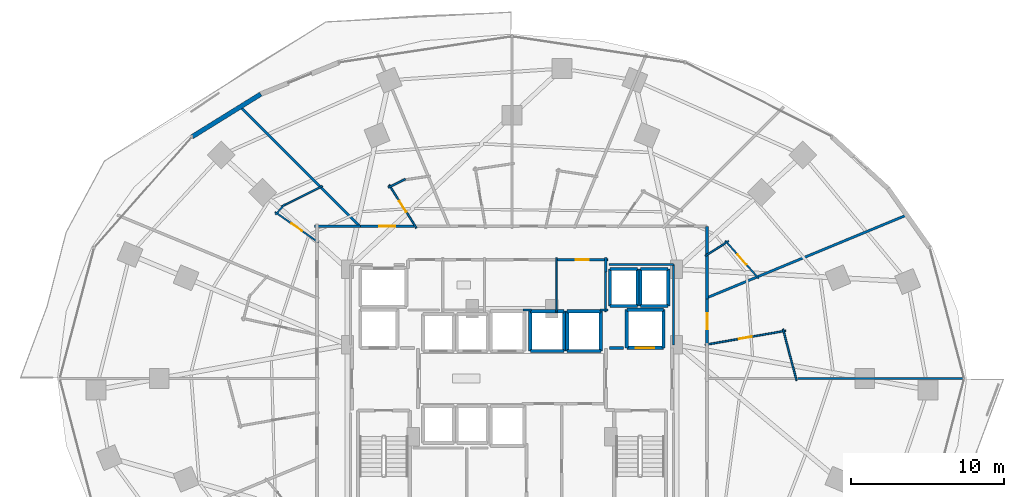
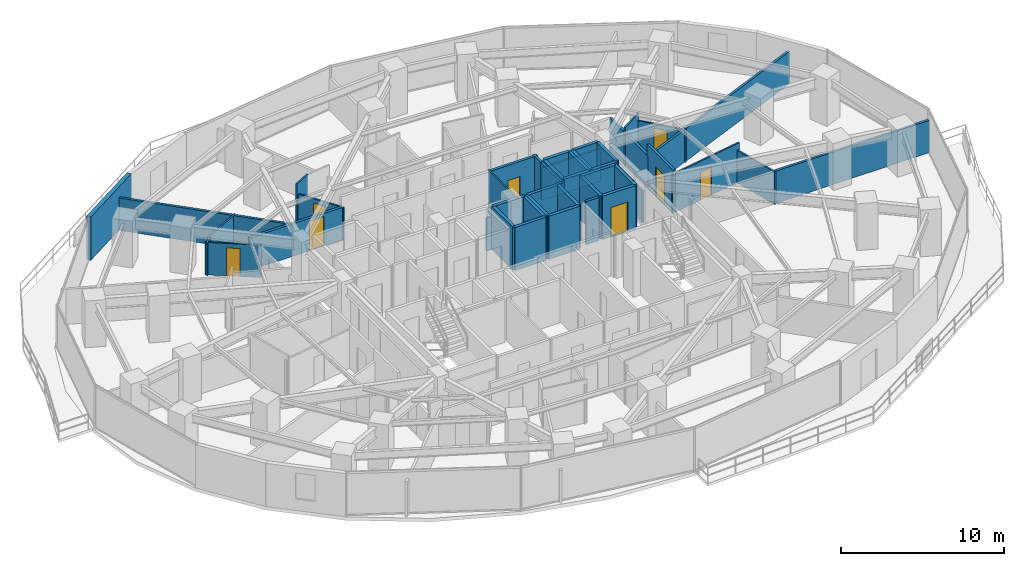
# One storey, part 29 of 34: 47 walls, 8 doors, 8 openings.
"""IFC4 building model written with IfcOpenShell, lengths in metres."""

from ifc_helpers import new_model, si_unit, direction, frame, frame_2d, origin, place, context, subcontext, project, spatial, rectangle, extrude, material, layer, layer_set, type_object, element, fill, save


model = new_model("IFC4")

# Units and contexts
model_context = context("Model", 3, precision=1e-05, world=origin(), true_north=direction((0.0, 1.0)))
body_context = subcontext(model_context, "Body", "Model", "MODEL_VIEW")
ifc_project = project(units=[si_unit("LENGTHUNIT", "METRE"), si_unit("AREAUNIT", "SQUARE_METRE"), si_unit("VOLUMEUNIT", "CUBIC_METRE"), si_unit("PLANEANGLEUNIT", "RADIAN"), si_unit("MASSUNIT", "GRAM", prefix="KILO")], contexts=[model_context])

# Site, building, storey
site_placement = place(None, origin())
site = spatial("IfcSite", under=ifc_project, at=site_placement, CompositionType="ELEMENT")
building_placement = place(site_placement, origin())
building = spatial("IfcBuilding", under=site, at=building_placement, Name="Vorneva Point Tower", CompositionType="ELEMENT")
storey_placement = place(building_placement, frame((0.0, 0.0, 31.0)))
storey = spatial("IfcBuildingStorey", under=building, at=storey_placement, Name="L07", CompositionType="ELEMENT", Elevation=31.0)

# Wall, opening, door
ifc_material_1 = material(Name="Concrete B60 (C50/60)", Category="concrete")
ifc_layer_1 = layer(ifc_material_1, 0.5)
ifc_layer_set_1 = layer_set([ifc_layer_1], Name="Concrete B60 (C50/60)")
wall_type_1 = type_object("IfcWallType", Name="WL-CORE-500", PredefinedType="SHEAR", material=ifc_layer_set_1)
wall_1_placement = place(storey_placement, frame((45.5, 28.0, 0.0), z_axis=(0.0, 0.0, 1.0), x_axis=(1.0, 0.0, 0.0)))
wall_1 = element("IfcWall", 1, at=wall_1_placement, inside=storey, type_object=wall_type_1, Name="L07 Lift FFL2 Shaft Wall -Y", PredefinedType="SHEAR", context=body_context, shape_type="SweptSolid", body=[
    extrude(rectangle(XDim=2.39990234375, YDim=0.219970703125, at=frame_2d((1.199951171875, 0.0))), origin(), (0.0, 0.0, 1.0), 3.239990234375),
])
opening_1_placement = place(wall_1_placement, frame((0.60009765625, 0.0, 0.0)))
opening_1 = element("IfcOpeningElement", 2, at=opening_1_placement, cuts=wall_1, Name="Opening LD-02", PredefinedType="OPENING", context=body_context, shape_type="SweptSolid", body=[
    extrude(rectangle(XDim=1.199951171875, YDim=2.199951171875, at=frame_2d((0.60009765625, 1.10009765625))), frame((0.0, 0.125, 0.0), z_axis=(0.0, -1.0, 0.0), x_axis=(1.0, 0.0, 0.0)), (0.0, 0.0, 1.0), 0.249755859375),
])
ifc_material_2 = material(Name="Brushed stainless steel S304", Category="steel")
door_type_1 = type_object("IfcDoorType", Name="LD-FIRE-1200", OperationType="SLIDING_TO_LEFT", PredefinedType="DOOR", material=ifc_material_2)
door_1_placement = place(opening_1_placement, origin())
door_1 = element("IfcDoor", 3, at=door_1_placement, inside=storey, type_object=door_type_1, Name="L07 Lift FFL2 Sliding Landing Door", OperationType="SLIDING_TO_LEFT", OverallHeight=2.199951171875, OverallWidth=1.199951171875, PredefinedType="DOOR", context=body_context, shape_type="SweptSolid", body=[
    extrude(rectangle(XDim=1.199951171875, YDim=2.199951171875, at=frame_2d((0.60009765625, 1.10009765625))), frame((0.0, 0.02490234375, 0.0), z_axis=(0.0, -1.0, 0.0), x_axis=(1.0, 0.0, 0.0)), (0.0, 0.0, 1.0), 0.050048828125),
])
fill(opening_1, door_1)

# Walls
wall_2_placement = place(storey_placement, frame((47.89990234375, 28.0, 0.0), z_axis=(0.0, 0.0, 1.0), x_axis=(0.0, 1.0, 0.0)))
element("IfcWall", 4, at=wall_2_placement, inside=storey, type_object=wall_type_1, Name="L07 Lift FFL2 Shaft Wall +X", PredefinedType="SHEAR", context=body_context, shape_type="SweptSolid", body=[
    extrude(rectangle(XDim=2.5, YDim=0.219970703125, at=frame_2d((1.25, 0.0))), origin(), (0.0, 0.0, 1.0), 3.239990234375),
])
wall_3_placement = place(storey_placement, frame((47.89990234375, 30.5, 0.0), z_axis=(0.0, 0.0, 1.0), x_axis=(-1.0, 0.0, 0.0)))
element("IfcWall", 5, at=wall_3_placement, inside=storey, type_object=wall_type_1, Name="L07 Lift FFL2 Shaft Wall +Y", PredefinedType="SHEAR", context=body_context, shape_type="SweptSolid", body=[
    extrude(rectangle(XDim=2.39990234375, YDim=0.219970703125, at=frame_2d((1.199951171875, 0.0))), origin(), (0.0, 0.0, 1.0), 3.239990234375),
])
wall_4_placement = place(storey_placement, frame((45.5, 30.5, 0.0), z_axis=(0.0, 0.0, 1.0), x_axis=(0.0, -1.0, 0.0)))
element("IfcWall", 6, at=wall_4_placement, inside=storey, type_object=wall_type_1, Name="L07 Lift FFL2 Shaft Wall -X", PredefinedType="SHEAR", context=body_context, shape_type="SweptSolid", body=[
    extrude(rectangle(XDim=2.5, YDim=0.219970703125, at=frame_2d((1.25, 0.0))), origin(), (0.0, 0.0, 1.0), 3.239990234375),
])
ifc_material_3 = material(Name="Precast concrete B50 (C40/50)", Category="concrete")
ifc_layer_2 = layer(ifc_material_3, 0.300048828125)
ifc_layer_set_2 = layer_set([ifc_layer_2], Name="Precast concrete B50 (C40/50)")
wall_type_2 = type_object("IfcWallType", Name="WL-EXT-300", PredefinedType="STANDARD", material=ifc_layer_set_2)
wall_5_placement = place(storey_placement, frame((21.5830078125, 44.583251953125, 0.0), z_axis=(0.0, 0.0, 1.0), x_axis=(-0.849633724826, -0.527373239404, 0.0)))
element("IfcWall", 7, at=wall_5_placement, inside=storey, type_object=wall_type_2, Name="L07 Pale-Metal Facade Spandrel Wall 06.2", PredefinedType="STANDARD", context=body_context, shape_type="SweptSolid", body=[
    extrude(rectangle(XDim=5.2705078125, YDim=0.300048828125, at=frame_2d((2.63525390625, 0.0))), origin(), (0.0, 0.0, 1.0), 3.239990234375),
])
ifc_material_4 = material(Name="Fire-rated acoustic gypsum stud partition", Category="gypsum")
ifc_layer_3 = layer(ifc_material_4, 0.110107421875)
ifc_layer_set_3 = layer_set([ifc_layer_3], Name="Fire-rated acoustic gypsum stud partition")
wall_type_3 = type_object("IfcWallType", Name="WL-PART-110", PredefinedType="PARTITIONING", material=ifc_layer_set_3)
wall_6_placement = place(storey_placement, frame((40.89990234375, 30.340087890625, 0.0), z_axis=(0.0, 0.0, 1.0), x_axis=(0.0, 1.0, 0.0)))
element("IfcWall", 8, at=wall_6_placement, inside=storey, type_object=wall_type_3, Name="L07 Interior Partition 017", PredefinedType="PARTITIONING", context=body_context, shape_type="SweptSolid", body=[
    extrude(rectangle(XDim=3.559814453125, YDim=0.110107421875, at=frame_2d((1.77978515625, 0.0))), origin(), (0.0, 0.0, 1.0), 3.239990234375),
])
wall_7_placement = place(storey_placement, frame((55.70947265625, 29.232421875, 0.0), z_axis=(0.0, 0.0, 1.0), x_axis=(0.254476045764, -0.967079077497, 0.0)))
element("IfcWall", 9, at=wall_7_placement, inside=storey, type_object=wall_type_3, Name="L07 Interior Partition 057", PredefinedType="PARTITIONING", context=body_context, shape_type="SweptSolid", body=[
    extrude(rectangle(XDim=3.482666015625, YDim=0.110107421875, at=frame_2d((1.7412109375, 0.0))), origin(), (0.0, 0.0, 1.0), 2.431884765625),
])

# Wall, opening, door
wall_8_placement = place(storey_placement, frame((50.612060546875, 28.200927734375, 0.0), z_axis=(0.0, 0.0, 1.0), x_axis=(0.985100697644, 0.171978532096, 0.0)))
wall_8 = element("IfcWall", 10, at=wall_8_placement, inside=storey, type_object=wall_type_3, Name="L07 Interior Partition 058", PredefinedType="PARTITIONING", context=body_context, shape_type="SweptSolid", body=[
    extrude(rectangle(XDim=5.3505859375, YDim=0.110107421875, at=frame_2d((2.67529296875, 0.0))), origin(), (0.0, 0.0, 1.0), 2.922119140625),
])
opening_2_placement = place(wall_8_placement, frame((2.250244140625, 0.0, 0.0)))
opening_2 = element("IfcOpeningElement", 11, at=opening_2_placement, cuts=wall_8, Name="Opening ID-02", PredefinedType="OPENING", context=body_context, shape_type="SweptSolid", body=[
    extrude(rectangle(XDim=0.85009765625, YDim=2.10009765625, at=frame_2d((0.425048828125, 1.050048828125))), frame((0.0, 0.06982421875, 0.0), z_axis=(0.0, -1.0, 0.0), x_axis=(1.0, 0.0, 0.0)), (0.0, 0.0, 1.0), 0.139892578125),
])
ifc_material_5 = material(Name="Engineered oak fire-rated door leaf", Category="wood")
door_type_2 = type_object("IfcDoorType", Name="DR-BATH-850", OperationType="NOTDEFINED", PredefinedType="DOOR", material=ifc_material_5)
door_2_placement = place(opening_2_placement, origin())
door_2 = element("IfcDoor", 12, at=door_2_placement, inside=storey, type_object=door_type_2, Name="L07 Door Junior Suite L07-01 / En-Suite Bathroom L07-01", OperationType="SINGLE_SWING_LEFT", OverallHeight=2.10009765625, OverallWidth=0.85009765625, PredefinedType="DOOR", context=body_context, shape_type="SweptSolid", body=[
    extrude(rectangle(XDim=0.85009765625, YDim=2.10009765625, at=frame_2d((0.425048828125, 1.050048828125))), frame((0.0, 0.02490234375, 0.0), z_axis=(0.0, -1.0, 0.0), x_axis=(1.0, 0.0, 0.0)), (0.0, 0.0, 1.0), 0.050048828125),
])
fill(opening_2, door_2)

wall_9_placement = place(storey_placement, frame((51.935302734375, 35.0068359375, 0.0), z_axis=(0.0, 0.0, 1.0), x_axis=(0.662059609276, -0.749451181709, 0.0)))
wall_9 = element("IfcWall", 13, at=wall_9_placement, inside=storey, type_object=wall_type_3, Name="L07 Interior Partition 062", PredefinedType="PARTITIONING", context=body_context, shape_type="SweptSolid", body=[
    extrude(rectangle(XDim=3.29931640625, YDim=0.110107421875, at=frame_2d((1.649658203125, 0.0))), origin(), (0.0, 0.0, 1.0), 2.431884765625),
])
opening_3_placement = place(wall_9_placement, frame((1.224609375, 0.0, 0.0)))
opening_3 = element("IfcOpeningElement", 14, at=opening_3_placement, cuts=wall_9, Name="Opening ID-02", PredefinedType="OPENING", context=body_context, shape_type="SweptSolid", body=[
    extrude(rectangle(XDim=0.85009765625, YDim=2.10009765625, at=frame_2d((0.425048828125, 1.050048828125))), frame((0.0, 0.06982421875, 0.0), z_axis=(0.0, -1.0, 0.0), x_axis=(1.0, 0.0, 0.0)), (0.0, 0.0, 1.0), 0.139892578125),
])
door_3_placement = place(opening_3_placement, origin())
door_3 = element("IfcDoor", 15, at=door_3_placement, inside=storey, type_object=door_type_2, Name="L07 Door Executive Suite L07-02 / En-Suite Bathroom L07-02", OperationType="SINGLE_SWING_RIGHT", OverallHeight=2.10009765625, OverallWidth=0.85009765625, PredefinedType="DOOR", context=body_context, shape_type="SweptSolid", body=[
    extrude(rectangle(XDim=0.85009765625, YDim=2.10009765625, at=frame_2d((0.425048828125, 1.050048828125))), frame((0.0, 0.02490234375, 0.0), z_axis=(0.0, -1.0, 0.0), x_axis=(1.0, 0.0, 0.0)), (0.0, 0.0, 1.0), 0.050048828125),
])
fill(opening_3, door_3)

# Walls
wall_10_placement = place(storey_placement, frame((50.6318359375, 34.01611328125, 0.0), z_axis=(0.0, 0.0, 1.0), x_axis=(0.844361394482, 0.535774052665, 0.0)))
element("IfcWall", 16, at=wall_10_placement, inside=storey, type_object=wall_type_3, Name="L07 Interior Partition 063", PredefinedType="PARTITIONING", context=body_context, shape_type="SweptSolid", body=[
    extrude(rectangle(XDim=1.79345703125, YDim=0.110107421875, at=frame_2d((0.896728515625, 0.0))), origin(), (0.0, 0.0, 1.0), 2.922119140625),
])
wall_11_placement = place(storey_placement, frame((29.919189453125, 38.47265625, 0.0), z_axis=(0.0, 0.0, 1.0), x_axis=(0.892084606746, 0.45186840386, 0.0)))
element("IfcWall", 17, at=wall_11_placement, inside=storey, type_object=wall_type_3, Name="L07 Interior Partition 077", PredefinedType="PARTITIONING", context=body_context, shape_type="SweptSolid", body=[
    extrude(rectangle(XDim=1.236083984375, YDim=0.110107421875, at=frame_2d((0.6181640625, 0.0))), origin(), (0.0, 0.0, 1.0), 3.239990234375),
])

# Wall, opening, door
wall_12_placement = place(storey_placement, frame((31.760986328125, 35.831787109375, 0.0), z_axis=(0.0, 0.0, 1.0), x_axis=(-0.535991614842, 0.844223305067, 0.0)))
wall_12 = element("IfcWall", 18, at=wall_12_placement, inside=storey, type_object=wall_type_3, Name="L07 Interior Partition 079", PredefinedType="PARTITIONING", context=body_context, shape_type="SweptSolid", body=[
    extrude(rectangle(XDim=3.34326171875, YDim=0.110107421875, at=frame_2d((1.671630859375, 0.0))), origin(), (0.0, 0.0, 1.0), 2.431884765625),
])
opening_4_placement = place(wall_12_placement, frame((1.24658203125, 0.0, 0.0)))
opening_4 = element("IfcOpeningElement", 19, at=opening_4_placement, cuts=wall_12, Name="Opening ID-02", PredefinedType="OPENING", context=body_context, shape_type="SweptSolid", body=[
    extrude(rectangle(XDim=0.85009765625, YDim=2.10009765625, at=frame_2d((0.425048828125, 1.050048828125))), frame((0.0, 0.06982421875, 0.0), z_axis=(0.0, -1.0, 0.0), x_axis=(1.0, 0.0, 0.0)), (0.0, 0.0, 1.0), 0.139892578125),
])
door_4_placement = place(opening_4_placement, origin())
door_4 = element("IfcDoor", 20, at=door_4_placement, inside=storey, type_object=door_type_2, Name="L07 Door Corner Suite L07-06 / En-Suite Bathroom L07-06", OperationType="SINGLE_SWING_RIGHT", OverallHeight=2.10009765625, OverallWidth=0.85009765625, PredefinedType="DOOR", context=body_context, shape_type="SweptSolid", body=[
    extrude(rectangle(XDim=0.85009765625, YDim=2.10009765625, at=frame_2d((0.425048828125, 1.050048828125))), frame((0.0, 0.02490234375, 0.0), z_axis=(0.0, -1.0, 0.0), x_axis=(1.0, 0.0, 0.0)), (0.0, 0.0, 1.0), 0.050048828125),
])
fill(opening_4, door_4)

# Walls
wall_13_placement = place(storey_placement, frame((22.538330078125, 36.697021484375, 0.0), z_axis=(0.0, 0.0, 1.0), x_axis=(0.662242037053, 0.749289986827, 0.0)))
element("IfcWall", 21, at=wall_13_placement, inside=storey, type_object=wall_type_3, Name="L07 Interior Partition 081", PredefinedType="PARTITIONING", context=body_context, shape_type="SweptSolid", body=[
    extrude(rectangle(XDim=0.936767578125, YDim=0.110107421875, at=frame_2d((0.46826171875, 0.0))), origin(), (0.0, 0.0, 1.0), 2.431884765625),
])
wall_14_placement = place(storey_placement, frame((22.941162109375, 37.23095703125, 0.0), z_axis=(0.0, 0.0, 1.0), x_axis=(0.892507731149, 0.451032094024, 0.0)))
element("IfcWall", 22, at=wall_14_placement, inside=storey, type_object=wall_type_3, Name="L07 Interior Partition 082", PredefinedType="PARTITIONING", context=body_context, shape_type="SweptSolid", body=[
    extrude(rectangle(XDim=2.989013671875, YDim=0.110107421875, at=frame_2d((1.49462890625, 0.0))), origin(), (0.0, 0.0, 1.0), 2.431884765625),
])

# Wall, opening, door
wall_15_placement = place(storey_placement, frame((25.364501953125, 34.880615234375, 0.0), z_axis=(0.0, 0.0, 1.0), x_axis=(-0.81809360258, 0.575085087111, 0.0)))
wall_15 = element("IfcWall", 23, at=wall_15_placement, inside=storey, type_object=wall_type_3, Name="L07 Interior Partition 083", PredefinedType="PARTITIONING", context=body_context, shape_type="SweptSolid", body=[
    extrude(rectangle(XDim=3.481201171875, YDim=0.110107421875, at=frame_2d((1.74072265625, 0.0))), origin(), (0.0, 0.0, 1.0), 2.431884765625),
])
opening_5_placement = place(wall_15_placement, frame((1.315673828125, 0.0, 0.0)))
opening_5 = element("IfcOpeningElement", 24, at=opening_5_placement, cuts=wall_15, Name="Opening ID-02", PredefinedType="OPENING", context=body_context, shape_type="SweptSolid", body=[
    extrude(rectangle(XDim=0.85009765625, YDim=2.10009765625, at=frame_2d((0.425048828125, 1.050048828125))), frame((0.0, 0.06982421875, 0.0), z_axis=(0.0, -1.0, 0.0), x_axis=(1.0, 0.0, 0.0)), (0.0, 0.0, 1.0), 0.139892578125),
])
door_5_placement = place(opening_5_placement, origin())
door_5 = element("IfcDoor", 25, at=door_5_placement, inside=storey, type_object=door_type_2, Name="L07 Door Junior Suite L07-07 / En-Suite Bathroom L07-07", OperationType="SINGLE_SWING_LEFT", OverallHeight=2.10009765625, OverallWidth=0.85009765625, PredefinedType="DOOR", context=body_context, shape_type="SweptSolid", body=[
    extrude(rectangle(XDim=0.85009765625, YDim=2.10009765625, at=frame_2d((0.425048828125, 1.050048828125))), frame((0.0, 0.02490234375, 0.0), z_axis=(0.0, -1.0, 0.0), x_axis=(1.0, 0.0, 0.0)), (0.0, 0.0, 1.0), 0.050048828125),
])
fill(opening_5, door_5)

# Walls
ifc_layer_4 = layer(ifc_material_4, 0.139892578125)
ifc_layer_set_4 = layer_set([ifc_layer_4], Name="Fire-rated acoustic gypsum stud partition")
wall_type_4 = type_object("IfcWallType", Name="WL-PART-140", PredefinedType="PARTITIONING", material=ifc_layer_set_4)
wall_16_placement = place(storey_placement, frame((38.735107421875, 30.47998046875, 0.0), z_axis=(0.0, 0.0, 1.0), x_axis=(1.0, 0.0, 0.0)))
element("IfcWall", 26, at=wall_16_placement, inside=storey, type_object=wall_type_4, Name="L07 Interior Closure Partition 111", PredefinedType="PARTITIONING", context=body_context, shape_type="SweptSolid", body=[
    extrude(rectangle(XDim=0.52978515625, YDim=0.139892578125, at=frame_2d((0.264892578125, 0.0))), origin(), (0.0, 0.0, 1.0), 2.431884765625),
])
wall_17_placement = place(storey_placement, frame((43.735107421875, 30.47998046875, 0.0), z_axis=(0.0, 0.0, 1.0), x_axis=(1.0, 0.0, 0.0)))
element("IfcWall", 27, at=wall_17_placement, inside=storey, type_object=wall_type_4, Name="L07 Interior Closure Partition 112", PredefinedType="PARTITIONING", context=body_context, shape_type="SweptSolid", body=[
    extrude(rectangle(XDim=0.52490234375, YDim=0.139892578125, at=frame_2d((0.262451171875, 0.0))), origin(), (0.0, 0.0, 1.0), 3.239990234375),
])
wall_18_placement = place(storey_placement, frame((44.1201171875, 30.340087890625, 0.0), z_axis=(0.0, 0.0, 1.0), x_axis=(0.0, 1.0, 0.0)))
element("IfcWall", 28, at=wall_18_placement, inside=storey, type_object=wall_type_4, Name="L07 Interior Closure Partition 113", PredefinedType="PARTITIONING", context=body_context, shape_type="SweptSolid", body=[
    extrude(rectangle(XDim=2.659912109375, YDim=0.139892578125, at=frame_2d((1.330078125, 0.0))), origin(), (0.0, 0.0, 1.0), 3.239990234375),
])
wall_19_placement = place(storey_placement, frame((44.340087890625, 33.449951171875, 0.0), z_axis=(0.0, 0.0, 1.0), x_axis=(1.0, 0.0, 0.0)))
element("IfcWall", 29, at=wall_19_placement, inside=storey, type_object=wall_type_4, Name="L07 Interior Closure Partition 116", PredefinedType="PARTITIONING", context=body_context, shape_type="SweptSolid", body=[
    extrude(rectangle(XDim=4.2099609375, YDim=0.139892578125, at=frame_2d((2.10498046875, 0.0))), origin(), (0.0, 0.0, 1.0), 2.431884765625),
])
wall_20_placement = place(storey_placement, frame((48.550048828125, 33.449951171875, 0.0), z_axis=(0.0, 0.0, 1.0), x_axis=(0.0, -1.0, 0.0)))
element("IfcWall", 30, at=wall_20_placement, inside=storey, type_object=wall_type_4, Name="L07 Interior Closure Partition 117", PredefinedType="PARTITIONING", context=body_context, shape_type="SweptSolid", body=[
    extrude(rectangle(XDim=5.25390625, YDim=0.139892578125, at=frame_2d((2.626953125, 0.0))), origin(), (0.0, 0.0, 1.0), 2.431884765625),
])
ifc_layer_5 = layer(ifc_material_4, 0.159912109375)
ifc_layer_set_5 = layer_set([ifc_layer_5], Name="Fire-rated acoustic gypsum stud partition")
wall_type_5 = type_object("IfcWallType", Name="WL-PART-160", PredefinedType="PARTITIONING", material=ifc_layer_set_5)
wall_21_placement = place(storey_placement, frame((63.79296875, 36.68408203125, 0.0), z_axis=(0.0, 0.0, 1.0), x_axis=(-0.923866969846, -0.382713759914, 0.0)))
element("IfcWall", 31, at=wall_21_placement, inside=storey, type_object=wall_type_5, Name="L07 Interior Partition 059", PredefinedType="PARTITIONING", context=body_context, shape_type="SweptSolid", body=[
    extrude(rectangle(XDim=14.117919921875, YDim=0.159912109375, at=frame_2d((7.05908203125, 0.0))), origin(), (0.0, 0.0, 1.0), 2.431884765625),
])
wall_22_placement = place(storey_placement, frame((56.56005859375, 26.0, 0.0), z_axis=(0.0, 0.0, 1.0), x_axis=(1.0, 0.0, 0.0)))
element("IfcWall", 32, at=wall_22_placement, inside=storey, type_object=wall_type_5, Name="L07 Interior Partition 060", PredefinedType="PARTITIONING", context=body_context, shape_type="SweptSolid", body=[
    extrude(rectangle(XDim=10.989013671875, YDim=0.159912109375, at=frame_2d((5.49462890625, 0.0))), origin(), (0.0, 0.0, 1.0), 2.431884765625),
])
wall_23_placement = place(storey_placement, frame((20.2470703125, 43.7529296875, 0.0), z_axis=(0.0, 0.0, 1.0), x_axis=(0.707106781187, -0.707106781187, 0.0)))
element("IfcWall", 33, at=wall_23_placement, inside=storey, type_object=wall_type_5, Name="L07 Interior Partition 080", PredefinedType="PARTITIONING", context=body_context, shape_type="SweptSolid", body=[
    extrude(rectangle(XDim=11.03515625, YDim=0.159912109375, at=frame_2d((5.517578125, 0.0))), origin(), (0.0, 0.0, 1.0), 2.431884765625),
])

# Wall, opening, door
ifc_material_6 = material(Name="Autoclaved aerated concrete blockwork", Category="masonry")
ifc_layer_6 = layer(ifc_material_6, 0.179931640625)
ifc_layer_set_6 = layer_set([ifc_layer_6], Name="Autoclaved aerated concrete blockwork")
wall_type_6 = type_object("IfcWallType", Name="WL-PART-180", PredefinedType="PARTITIONING", material=ifc_layer_set_6)
wall_24_placement = place(storey_placement, frame((44.260009765625, 33.760009765625, 0.0), z_axis=(0.0, 0.0, 1.0), x_axis=(-1.0, 0.0, 0.0)))
wall_24 = element("IfcWall", 34, at=wall_24_placement, inside=storey, type_object=wall_type_6, Name="L07 Interior Partition 019", PredefinedType="PARTITIONING", context=body_context, shape_type="SweptSolid", body=[
    extrude(rectangle(XDim=3.360107421875, YDim=0.179931640625, at=frame_2d((1.68017578125, 0.0))), origin(), (0.0, 0.0, 1.0), 3.239990234375),
])
opening_6_placement = place(wall_24_placement, frame((1.2548828125, 0.0, 0.0)))
opening_6 = element("IfcOpeningElement", 35, at=opening_6_placement, cuts=wall_24, Name="Opening ID-02", PredefinedType="OPENING", context=body_context, shape_type="SweptSolid", body=[
    extrude(rectangle(XDim=0.85009765625, YDim=2.10009765625, at=frame_2d((0.425048828125, 1.050048828125))), frame((0.0, 0.10498046875, 0.0), z_axis=(0.0, -1.0, 0.0), x_axis=(1.0, 0.0, 0.0)), (0.0, 0.0, 1.0), 0.209716796875),
])
door_6_placement = place(opening_6_placement, origin())
door_6 = element("IfcDoor", 36, at=door_6_placement, inside=storey, type_object=door_type_2, Name="L07 Door Accessible WC / L07 Circulation Corridor", OperationType="SINGLE_SWING_RIGHT", OverallHeight=2.10009765625, OverallWidth=0.85009765625, PredefinedType="DOOR", context=body_context, shape_type="SweptSolid", body=[
    extrude(rectangle(XDim=0.85009765625, YDim=2.10009765625, at=frame_2d((0.425048828125, 1.050048828125))), frame((0.0, 0.02490234375, 0.0), z_axis=(0.0, -1.0, 0.0), x_axis=(1.0, 0.0, 0.0)), (0.0, 0.0, 1.0), 0.050048828125),
])
fill(opening_6, door_6)

# Wall
wall_25_placement = place(storey_placement, frame((44.1201171875, 32.969970703125, 0.0), z_axis=(0.0, 0.0, 1.0), x_axis=(0.0, 1.0, 0.0)))
element("IfcWall", 37, at=wall_25_placement, inside=storey, type_object=wall_type_6, Name="L07 Interior Partition 020", PredefinedType="PARTITIONING", context=body_context, shape_type="SweptSolid", body=[
    extrude(rectangle(XDim=0.929931640625, YDim=0.179931640625, at=frame_2d((0.46484375, 0.0))), origin(), (0.0, 0.0, 1.0), 3.239990234375),
])

# Wall, opening, door
wall_26_placement = place(storey_placement, frame((50.75, 28.1650390625, 0.0), z_axis=(0.0, 0.0, 1.0), x_axis=(0.0, 1.0, 0.0)))
wall_26 = element("IfcWall", 38, at=wall_26_placement, inside=storey, type_object=wall_type_6, Name="L07 Interior Partition 024", PredefinedType="PARTITIONING", context=body_context, shape_type="SweptSolid", body=[
    extrude(rectangle(XDim=3.180908203125, YDim=0.179931640625, at=frame_2d((1.59033203125, 0.0))), origin(), (0.0, 0.0, 1.0), 3.239990234375),
])
opening_7_placement = place(wall_26_placement, frame((1.0654296875, 0.0, 0.0)))
opening_7 = element("IfcOpeningElement", 39, at=opening_7_placement, cuts=wall_26, Name="Opening UD-02", PredefinedType="OPENING", context=body_context, shape_type="SweptSolid", body=[
    extrude(rectangle(XDim=1.050048828125, YDim=2.199951171875, at=frame_2d((0.52490234375, 1.10009765625))), frame((0.0, 0.10498046875, 0.0), z_axis=(0.0, -1.0, 0.0), x_axis=(1.0, 0.0, 0.0)), (0.0, 0.0, 1.0), 0.209716796875),
])
door_type_3 = type_object("IfcDoorType", Name="DR-SUITE-1050", OperationType="NOTDEFINED", PredefinedType="DOOR", material=ifc_material_5)
door_7_placement = place(opening_7_placement, origin())
door_7 = element("IfcDoor", 40, at=door_7_placement, inside=storey, type_object=door_type_3, Name="L07 Door L07 Circulation Corridor / Junior Suite L07-01", OperationType="SINGLE_SWING_LEFT", OverallHeight=2.199951171875, OverallWidth=1.050048828125, PredefinedType="DOOR", context=body_context, shape_type="SweptSolid", body=[
    extrude(rectangle(XDim=1.050048828125, YDim=2.199951171875, at=frame_2d((0.52490234375, 1.10009765625))), frame((0.0, 0.02490234375, 0.0), z_axis=(0.0, -1.0, 0.0), x_axis=(1.0, 0.0, 0.0)), (0.0, 0.0, 1.0), 0.050048828125),
])
fill(opening_7, door_7)

# Walls
wall_27_placement = place(storey_placement, frame((50.75, 34.031005859375, 0.0), z_axis=(0.0, 0.0, 1.0), x_axis=(0.0, 1.0, 0.0)))
element("IfcWall", 41, at=wall_27_placement, inside=storey, type_object=wall_type_6, Name="L07 Interior Partition 026", PredefinedType="PARTITIONING", context=body_context, shape_type="SweptSolid", body=[
    extrude(rectangle(XDim=1.9189453125, YDim=0.179931640625, at=frame_2d((0.95947265625, 0.0))), origin(), (0.0, 0.0, 1.0), 2.431884765625),
])
wall_28_placement = place(storey_placement, frame((50.75, 31.2060546875, 0.0), z_axis=(0.0, 0.0, 1.0), x_axis=(0.0, 1.0, 0.0)))
element("IfcWall", 42, at=wall_28_placement, inside=storey, type_object=wall_type_6, Name="L07 Interior Partition 028", PredefinedType="PARTITIONING", context=body_context, shape_type="SweptSolid", body=[
    extrude(rectangle(XDim=2.96484375, YDim=0.179931640625, at=frame_2d((1.482421875, 0.0))), origin(), (0.0, 0.0, 1.0), 2.431884765625),
])

# Wall, opening, door
wall_29_placement = place(storey_placement, frame((31.74609375, 35.949951171875, 0.0), z_axis=(0.0, 0.0, 1.0), x_axis=(-1.0, 0.0, 0.0)))
wall_29 = element("IfcWall", 43, at=wall_29_placement, inside=storey, type_object=wall_type_6, Name="L07 Interior Partition 035", PredefinedType="PARTITIONING", context=body_context, shape_type="SweptSolid", body=[
    extrude(rectangle(XDim=3.781005859375, YDim=0.179931640625, at=frame_2d((1.890625, 0.0))), origin(), (0.0, 0.0, 1.0), 2.431884765625),
])
opening_8_placement = place(wall_29_placement, frame((1.365478515625, 0.0, 0.0)))
opening_8 = element("IfcOpeningElement", 44, at=opening_8_placement, cuts=wall_29, Name="Opening UD-02", PredefinedType="OPENING", context=body_context, shape_type="SweptSolid", body=[
    extrude(rectangle(XDim=1.050048828125, YDim=2.199951171875, at=frame_2d((0.52490234375, 1.10009765625))), frame((0.0, 0.10498046875, 0.0), z_axis=(0.0, -1.0, 0.0), x_axis=(1.0, 0.0, 0.0)), (0.0, 0.0, 1.0), 0.209716796875),
])
door_8_placement = place(opening_8_placement, origin())
door_8 = element("IfcDoor", 45, at=door_8_placement, inside=storey, type_object=door_type_3, Name="L07 Door L07 Circulation Corridor / Corner Suite L07-06", OperationType="SINGLE_SWING_RIGHT", OverallHeight=2.199951171875, OverallWidth=1.050048828125, PredefinedType="DOOR", context=body_context, shape_type="SweptSolid", body=[
    extrude(rectangle(XDim=1.050048828125, YDim=2.199951171875, at=frame_2d((0.52490234375, 1.10009765625))), frame((0.0, 0.02490234375, 0.0), z_axis=(0.0, -1.0, 0.0), x_axis=(1.0, 0.0, 0.0)), (0.0, 0.0, 1.0), 0.050048828125),
])
fill(opening_8, door_8)

# Walls
wall_30_placement = place(storey_placement, frame((28.10498046875, 35.949951171875, 0.0), z_axis=(0.0, 0.0, 1.0), x_axis=(-1.0, 0.0, 0.0)))
element("IfcWall", 46, at=wall_30_placement, inside=storey, type_object=wall_type_6, Name="L07 Interior Partition 038", PredefinedType="PARTITIONING", context=body_context, shape_type="SweptSolid", body=[
    extrude(rectangle(XDim=2.994873046875, YDim=0.179931640625, at=frame_2d((1.49755859375, 0.0))), origin(), (0.0, 0.0, 1.0), 2.431884765625),
])
wall_31_placement = place(storey_placement, frame((45.280029296875, 28.0, 0.0), z_axis=(0.0, 0.0, 1.0), x_axis=(-1.0, 0.0, 0.0)))
element("IfcWall", 47, at=wall_31_placement, inside=storey, type_object=wall_type_6, Name="L07 Interior Closure Partition 108", PredefinedType="PARTITIONING", context=body_context, shape_type="SweptSolid", body=[
    extrude(rectangle(XDim=0.9150390625, YDim=0.179931640625, at=frame_2d((0.45751953125, 0.0))), origin(), (0.0, 0.0, 1.0), 3.239990234375),
])
ifc_material_7 = material(Name="Concrete B50 (C40/50)", Category="concrete")
ifc_layer_7 = layer(ifc_material_7, 0.219970703125)
ifc_layer_set_7 = layer_set([ifc_layer_7], Name="Concrete B50 (C40/50)")
wall_type_7 = type_object("IfcWallType", Name="WL-SHFT-220", PredefinedType="SOLIDWALL", material=ifc_layer_set_7)
wall_32_placement = place(storey_placement, frame((39.199951171875, 27.800048828125, 0.0), z_axis=(0.0, 0.0, 1.0), x_axis=(1.0, 0.0, 0.0)))
element("IfcWall", 48, at=wall_32_placement, inside=storey, type_object=wall_type_7, Name="L07 Lift PL7 Shaft Wall -Y", PredefinedType="SOLIDWALL", context=body_context, shape_type="SweptSolid", body=[
    extrude(rectangle(XDim=2.199951171875, YDim=0.219970703125, at=frame_2d((1.10009765625, 0.0))), origin(), (0.0, 0.0, 1.0), 3.239990234375),
])
wall_33_placement = place(storey_placement, frame((41.39990234375, 27.800048828125, 0.0), z_axis=(0.0, 0.0, 1.0), x_axis=(0.0, 1.0, 0.0)))
element("IfcWall", 49, at=wall_33_placement, inside=storey, type_object=wall_type_7, Name="L07 Lift PL7 Shaft Wall +X", PredefinedType="SOLIDWALL", context=body_context, shape_type="SweptSolid", body=[
    extrude(rectangle(XDim=2.599853515625, YDim=0.219970703125, at=frame_2d((1.2998046875, 0.0))), origin(), (0.0, 0.0, 1.0), 3.239990234375),
])
wall_34_placement = place(storey_placement, frame((41.39990234375, 30.39990234375, 0.0), z_axis=(0.0, 0.0, 1.0), x_axis=(-1.0, 0.0, 0.0)))
element("IfcWall", 50, at=wall_34_placement, inside=storey, type_object=wall_type_7, Name="L07 Lift PL7 Shaft Wall +Y", PredefinedType="SOLIDWALL", context=body_context, shape_type="SweptSolid", body=[
    extrude(rectangle(XDim=2.199951171875, YDim=0.219970703125, at=frame_2d((1.10009765625, 0.0))), origin(), (0.0, 0.0, 1.0), 3.239990234375),
])
wall_35_placement = place(storey_placement, frame((39.199951171875, 30.39990234375, 0.0), z_axis=(0.0, 0.0, 1.0), x_axis=(0.0, -1.0, 0.0)))
element("IfcWall", 51, at=wall_35_placement, inside=storey, type_object=wall_type_7, Name="L07 Lift PL7 Shaft Wall -X", PredefinedType="SOLIDWALL", context=body_context, shape_type="SweptSolid", body=[
    extrude(rectangle(XDim=2.599853515625, YDim=0.219970703125, at=frame_2d((1.2998046875, 0.0))), origin(), (0.0, 0.0, 1.0), 3.239990234375),
])
wall_36_placement = place(storey_placement, frame((41.60009765625, 27.800048828125, 0.0), z_axis=(0.0, 0.0, 1.0), x_axis=(1.0, 0.0, 0.0)))
element("IfcWall", 52, at=wall_36_placement, inside=storey, type_object=wall_type_7, Name="L07 Lift PL8 Shaft Wall -Y", PredefinedType="SOLIDWALL", context=body_context, shape_type="SweptSolid", body=[
    extrude(rectangle(XDim=2.199951171875, YDim=0.219970703125, at=frame_2d((1.10009765625, 0.0))), origin(), (0.0, 0.0, 1.0), 3.239990234375),
])
wall_37_placement = place(storey_placement, frame((43.800048828125, 27.800048828125, 0.0), z_axis=(0.0, 0.0, 1.0), x_axis=(0.0, 1.0, 0.0)))
element("IfcWall", 53, at=wall_37_placement, inside=storey, type_object=wall_type_7, Name="L07 Lift PL8 Shaft Wall +X", PredefinedType="SOLIDWALL", context=body_context, shape_type="SweptSolid", body=[
    extrude(rectangle(XDim=2.599853515625, YDim=0.219970703125, at=frame_2d((1.2998046875, 0.0))), origin(), (0.0, 0.0, 1.0), 3.239990234375),
])
wall_38_placement = place(storey_placement, frame((43.800048828125, 30.39990234375, 0.0), z_axis=(0.0, 0.0, 1.0), x_axis=(-1.0, 0.0, 0.0)))
element("IfcWall", 54, at=wall_38_placement, inside=storey, type_object=wall_type_7, Name="L07 Lift PL8 Shaft Wall +Y", PredefinedType="SOLIDWALL", context=body_context, shape_type="SweptSolid", body=[
    extrude(rectangle(XDim=2.199951171875, YDim=0.219970703125, at=frame_2d((1.10009765625, 0.0))), origin(), (0.0, 0.0, 1.0), 3.239990234375),
])
wall_39_placement = place(storey_placement, frame((41.60009765625, 30.39990234375, 0.0), z_axis=(0.0, 0.0, 1.0), x_axis=(0.0, -1.0, 0.0)))
element("IfcWall", 55, at=wall_39_placement, inside=storey, type_object=wall_type_7, Name="L07 Lift PL8 Shaft Wall -X", PredefinedType="SOLIDWALL", context=body_context, shape_type="SweptSolid", body=[
    extrude(rectangle(XDim=2.599853515625, YDim=0.219970703125, at=frame_2d((1.2998046875, 0.0))), origin(), (0.0, 0.0, 1.0), 3.239990234375),
])
wall_40_placement = place(storey_placement, frame((44.39990234375, 30.739990234375, 0.0), z_axis=(0.0, 0.0, 1.0), x_axis=(1.0, 0.0, 0.0)))
element("IfcWall", 56, at=wall_40_placement, inside=storey, type_object=wall_type_7, Name="L07 Lift EX1 Shaft Wall -Y", PredefinedType="SOLIDWALL", context=body_context, shape_type="SweptSolid", body=[
    extrude(rectangle(XDim=1.800048828125, YDim=0.219970703125, at=frame_2d((0.89990234375, 0.0))), origin(), (0.0, 0.0, 1.0), 3.239990234375),
])
wall_41_placement = place(storey_placement, frame((46.199951171875, 30.739990234375, 0.0), z_axis=(0.0, 0.0, 1.0), x_axis=(0.0, 1.0, 0.0)))
element("IfcWall", 57, at=wall_41_placement, inside=storey, type_object=wall_type_7, Name="L07 Lift EX1 Shaft Wall +X", PredefinedType="SOLIDWALL", context=body_context, shape_type="SweptSolid", body=[
    extrude(rectangle(XDim=2.419921875, YDim=0.219970703125, at=frame_2d((1.2099609375, 0.0))), origin(), (0.0, 0.0, 1.0), 3.239990234375),
])
wall_42_placement = place(storey_placement, frame((46.199951171875, 33.159912109375, 0.0), z_axis=(0.0, 0.0, 1.0), x_axis=(-1.0, 0.0, 0.0)))
element("IfcWall", 58, at=wall_42_placement, inside=storey, type_object=wall_type_7, Name="L07 Lift EX1 Shaft Wall +Y", PredefinedType="SOLIDWALL", context=body_context, shape_type="SweptSolid", body=[
    extrude(rectangle(XDim=1.800048828125, YDim=0.219970703125, at=frame_2d((0.89990234375, 0.0))), origin(), (0.0, 0.0, 1.0), 3.239990234375),
])
wall_43_placement = place(storey_placement, frame((44.39990234375, 33.159912109375, 0.0), z_axis=(0.0, 0.0, 1.0), x_axis=(0.0, -1.0, 0.0)))
element("IfcWall", 59, at=wall_43_placement, inside=storey, type_object=wall_type_7, Name="L07 Lift EX1 Shaft Wall -X", PredefinedType="SOLIDWALL", context=body_context, shape_type="SweptSolid", body=[
    extrude(rectangle(XDim=2.419921875, YDim=0.219970703125, at=frame_2d((1.2099609375, 0.0))), origin(), (0.0, 0.0, 1.0), 3.239990234375),
])
wall_44_placement = place(storey_placement, frame((46.39990234375, 30.739990234375, 0.0), z_axis=(0.0, 0.0, 1.0), x_axis=(1.0, 0.0, 0.0)))
element("IfcWall", 60, at=wall_44_placement, inside=storey, type_object=wall_type_7, Name="L07 Lift EX2 Shaft Wall -Y", PredefinedType="SOLIDWALL", context=body_context, shape_type="SweptSolid", body=[
    extrude(rectangle(XDim=1.800048828125, YDim=0.219970703125, at=frame_2d((0.89990234375, 0.0))), origin(), (0.0, 0.0, 1.0), 3.239990234375),
])
wall_45_placement = place(storey_placement, frame((48.199951171875, 30.739990234375, 0.0), z_axis=(0.0, 0.0, 1.0), x_axis=(0.0, 1.0, 0.0)))
element("IfcWall", 61, at=wall_45_placement, inside=storey, type_object=wall_type_7, Name="L07 Lift EX2 Shaft Wall +X", PredefinedType="SOLIDWALL", context=body_context, shape_type="SweptSolid", body=[
    extrude(rectangle(XDim=2.419921875, YDim=0.219970703125, at=frame_2d((1.2099609375, 0.0))), origin(), (0.0, 0.0, 1.0), 3.239990234375),
])
wall_46_placement = place(storey_placement, frame((48.199951171875, 33.159912109375, 0.0), z_axis=(0.0, 0.0, 1.0), x_axis=(-1.0, 0.0, 0.0)))
element("IfcWall", 62, at=wall_46_placement, inside=storey, type_object=wall_type_7, Name="L07 Lift EX2 Shaft Wall +Y", PredefinedType="SOLIDWALL", context=body_context, shape_type="SweptSolid", body=[
    extrude(rectangle(XDim=1.800048828125, YDim=0.219970703125, at=frame_2d((0.89990234375, 0.0))), origin(), (0.0, 0.0, 1.0), 3.239990234375),
])
wall_47_placement = place(storey_placement, frame((46.39990234375, 33.159912109375, 0.0), z_axis=(0.0, 0.0, 1.0), x_axis=(0.0, -1.0, 0.0)))
element("IfcWall", 63, at=wall_47_placement, inside=storey, type_object=wall_type_7, Name="L07 Lift EX2 Shaft Wall -X", PredefinedType="SOLIDWALL", context=body_context, shape_type="SweptSolid", body=[
    extrude(rectangle(XDim=2.419921875, YDim=0.219970703125, at=frame_2d((1.2099609375, 0.0))), origin(), (0.0, 0.0, 1.0), 3.239990234375),
])

save(model, "model.ifc")
